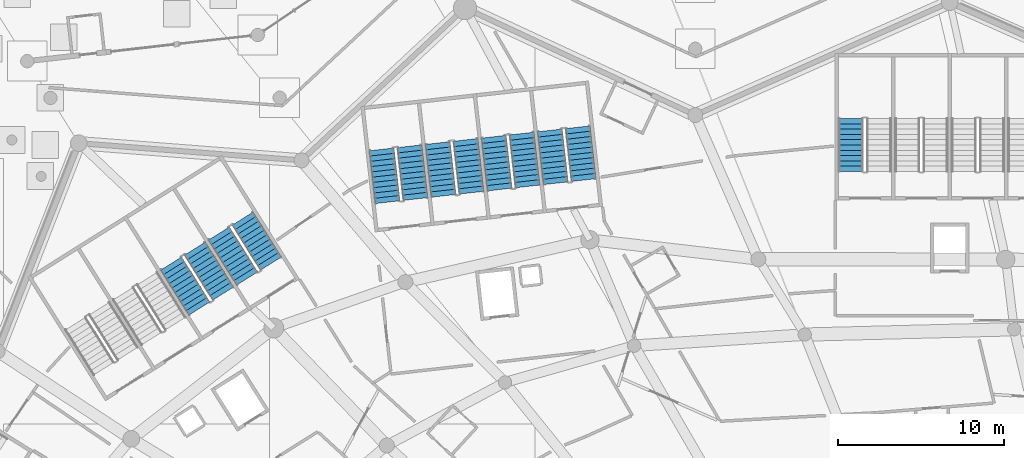
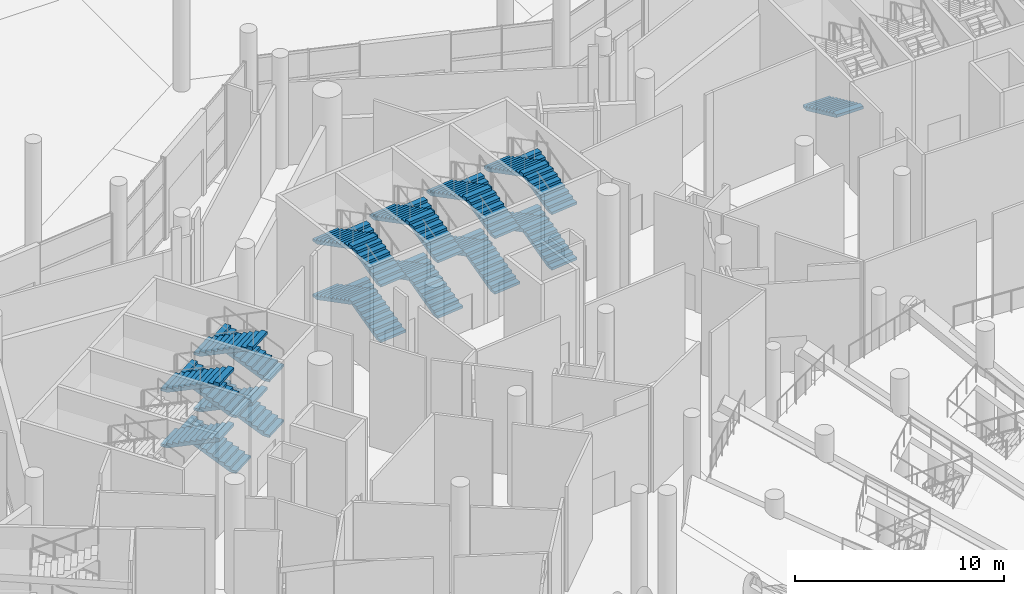
# One storey, part 175 of 255: 25 stair flights, 7 elements without a shape of their own.
"""IFC4 building model written with IfcOpenShell, lengths in metres."""

from ifc_helpers import new_model, si_unit, direction, frame, origin, place, context, subcontext, project, spatial, polyline, outline, extrude, material, type_object, element, aggregate, save


model = new_model("IFC4")

# Units and contexts
model_context = context("Model", 3, precision=1e-05, world=origin(), true_north=direction((0.0, 1.0)))
body_context = subcontext(model_context, "Body", "Model", "MODEL_VIEW")
ifc_project = project(units=[si_unit("LENGTHUNIT", "METRE"), si_unit("AREAUNIT", "SQUARE_METRE"), si_unit("VOLUMEUNIT", "CUBIC_METRE"), si_unit("PLANEANGLEUNIT", "RADIAN"), si_unit("MASSUNIT", "GRAM", prefix="KILO")], contexts=[model_context])

# Site, building, storey
site_placement = place(None, origin())
site = spatial("IfcSite", under=ifc_project, at=site_placement, CompositionType="ELEMENT")
building_placement = place(site_placement, origin())
building = spatial("IfcBuilding", under=site, at=building_placement, Name="Meseta Stadium", CompositionType="ELEMENT")
storey_placement = place(building_placement, origin())
storey = spatial("IfcBuildingStorey", under=building, at=storey_placement, Name="L00", CompositionType="ELEMENT", Elevation=0.0)

# Stair, stair flight
ifc_material_1 = material(Name="Concrete C40/50", Category="concrete")
stair_type = type_object("IfcStairType", Name="Exit stair 4 flights 148 mm risers", PredefinedType="HALF_TURN_STAIR", material=ifc_material_1)
stair_1_placement = place(storey_placement, origin())
stair_1 = element("IfcStair", 1, at=stair_1_placement, inside=storey, type_object=stair_type, Name="ST44 L00", PredefinedType="HALF_TURN_STAIR")
ifc_material_2 = material(Name="Concrete C40/50", Category="concrete")
stair_flight_type = type_object("IfcStairFlightType", Name="Exit stair flight 148 mm risers, 4 per storey", PredefinedType="STRAIGHT", material=ifc_material_2)
stair_flight_1_placement = place(storey_placement, frame((-28.949951171875, 98.39990234375, 1.625), z_axis=(0.0, 0.0, 1.0), x_axis=(0.0, -1.0, 0.0)))
stair_flight_1 = element("IfcStairFlight", 2, at=stair_flight_1_placement, type_object=stair_flight_type, Name="ST44 L00 flight 2", NumberOfRisers=11, NumberOfTreads=10, PredefinedType="STRAIGHT", RiserHeight=0.147727273, TreadLength=0.32, context=body_context, shape_type="SweptSolid", body=[
    extrude(outline(polyline([(0.0, 0.0), (0.0, 0.147705078125), (0.320068359375, 0.147705078125), (0.320068359375, 0.29541015625), (0.639892578125, 0.29541015625), (0.639892578125, 0.443115234375), (0.9599609375, 0.443115234375), (0.9599609375, 0.5908203125), (1.280029296875, 0.5908203125), (1.280029296875, 0.738525390625), (1.60009765625, 0.738525390625), (1.60009765625, 0.886474609375), (1.919921875, 0.886474609375), (1.919921875, 1.0341796875), (2.239990234375, 1.0341796875), (2.239990234375, 1.181884765625), (2.56005859375, 1.181884765625), (2.56005859375, 1.32958984375), (2.8798828125, 1.32958984375), (2.8798828125, 1.477294921875), (3.199951171875, 1.477294921875), (3.199951171875, 1.312255859375), (0.357666015625, 0.0), (0.0, 0.0)])), frame((0.0, 0.75, 0.0), z_axis=(0.0, -1.0, 0.0), x_axis=(1.0, 0.0, 0.0)), (0.0, 0.0, 1.0), 1.5),
])
aggregate(stair_1, [stair_flight_1])

# Stair, stair flights
stair_2_placement = place(storey_placement, origin())
stair_2 = element("IfcStair", 3, at=stair_2_placement, inside=storey, type_object=stair_type, Name="ST45 L00", PredefinedType="HALF_TURN_STAIR")
stair_flight_2_placement = place(storey_placement, frame((-45.04736328125, 94.687744140625, 0.0), z_axis=(0.0, 0.0, 1.0), x_axis=(-0.11196446867, 0.993712210731, 0.0)))
stair_flight_2 = element("IfcStairFlight", 4, at=stair_flight_2_placement, type_object=stair_flight_type, Name="ST45 L00 flight 1", NumberOfRisers=11, NumberOfTreads=10, PredefinedType="STRAIGHT", RiserHeight=0.147727273, TreadLength=0.32, context=body_context, shape_type="SweptSolid", body=[
    extrude(outline(polyline([(0.0, 0.0), (0.0, 0.147705078125), (0.320068359375, 0.147705078125), (0.320068359375, 0.29541015625), (0.639892578125, 0.29541015625), (0.639892578125, 0.443115234375), (0.9599609375, 0.443115234375), (0.9599609375, 0.5908203125), (1.280029296875, 0.5908203125), (1.280029296875, 0.738525390625), (1.60009765625, 0.738525390625), (1.60009765625, 0.886474609375), (1.919921875, 0.886474609375), (1.919921875, 1.0341796875), (2.239990234375, 1.0341796875), (2.239990234375, 1.181884765625), (2.56005859375, 1.181884765625), (2.56005859375, 1.32958984375), (2.8798828125, 1.32958984375), (2.8798828125, 1.477294921875), (3.199951171875, 1.477294921875), (3.199951171875, 1.312255859375), (0.357666015625, 0.0), (0.0, 0.0)])), frame((0.0, 0.75, 0.0), z_axis=(0.0, -1.0, 0.0), x_axis=(1.0, 0.0, 0.0)), (0.0, 0.0, 1.0), 1.5),
])
stair_flight_3_placement = place(storey_placement, frame((-47.094970703125, 97.67724609375, 1.625), z_axis=(0.0, 0.0, 1.0), x_axis=(0.11196446867, -0.993712210731, 0.0)))
stair_flight_3 = element("IfcStairFlight", 5, at=stair_flight_3_placement, type_object=stair_flight_type, Name="ST45 L00 flight 2", NumberOfRisers=11, NumberOfTreads=10, PredefinedType="STRAIGHT", RiserHeight=0.147727273, TreadLength=0.32, context=body_context, shape_type="SweptSolid", body=[
    extrude(outline(polyline([(0.0, 0.0), (0.0, 0.147705078125), (0.320068359375, 0.147705078125), (0.320068359375, 0.29541015625), (0.639892578125, 0.29541015625), (0.639892578125, 0.443115234375), (0.9599609375, 0.443115234375), (0.9599609375, 0.5908203125), (1.280029296875, 0.5908203125), (1.280029296875, 0.738525390625), (1.60009765625, 0.738525390625), (1.60009765625, 0.886474609375), (1.919921875, 0.886474609375), (1.919921875, 1.0341796875), (2.239990234375, 1.0341796875), (2.239990234375, 1.181884765625), (2.56005859375, 1.181884765625), (2.56005859375, 1.32958984375), (2.8798828125, 1.32958984375), (2.8798828125, 1.477294921875), (3.199951171875, 1.477294921875), (3.199951171875, 1.312255859375), (0.357666015625, 0.0), (0.0, 0.0)])), frame((0.0, 0.75, 0.0), z_axis=(0.0, -1.0, 0.0), x_axis=(1.0, 0.0, 0.0)), (0.0, 0.0, 1.0), 1.5),
])
stair_flight_4_placement = place(storey_placement, frame((-45.04736328125, 94.687744140625, 3.25), z_axis=(0.0, 0.0, 1.0), x_axis=(-0.11196446867, 0.993712210731, 0.0)))
stair_flight_4 = element("IfcStairFlight", 6, at=stair_flight_4_placement, type_object=stair_flight_type, Name="ST45 L00 flight 3", NumberOfRisers=11, NumberOfTreads=10, PredefinedType="STRAIGHT", RiserHeight=0.147727273, TreadLength=0.32, context=body_context, shape_type="SweptSolid", body=[
    extrude(outline(polyline([(0.0, 0.0), (0.0, 0.147705078125), (0.320068359375, 0.147705078125), (0.320068359375, 0.29541015625), (0.639892578125, 0.29541015625), (0.639892578125, 0.443115234375), (0.9599609375, 0.443115234375), (0.9599609375, 0.5908203125), (1.280029296875, 0.5908203125), (1.280029296875, 0.738525390625), (1.60009765625, 0.738525390625), (1.60009765625, 0.886474609375), (1.919921875, 0.886474609375), (1.919921875, 1.0341796875), (2.239990234375, 1.0341796875), (2.239990234375, 1.181884765625), (2.56005859375, 1.181884765625), (2.56005859375, 1.32958984375), (2.8798828125, 1.32958984375), (2.8798828125, 1.477294921875), (3.199951171875, 1.477294921875), (3.199951171875, 1.312255859375), (0.357666015625, 0.0), (0.0, 0.0)])), frame((0.0, 0.75, 0.0), z_axis=(0.0, -1.0, 0.0), x_axis=(1.0, 0.0, 0.0)), (0.0, 0.0, 1.0), 1.5),
])
stair_flight_5_placement = place(storey_placement, frame((-47.094970703125, 97.67724609375, 4.875), z_axis=(0.0, 0.0, 1.0), x_axis=(0.11196446867, -0.993712210731, 0.0)))
stair_flight_5 = element("IfcStairFlight", 7, at=stair_flight_5_placement, type_object=stair_flight_type, Name="ST45 L00 flight 4", NumberOfRisers=11, NumberOfTreads=10, PredefinedType="STRAIGHT", RiserHeight=0.147727273, TreadLength=0.32, context=body_context, shape_type="SweptSolid", body=[
    extrude(outline(polyline([(0.0, 0.0), (0.0, 0.147705078125), (0.320068359375, 0.147705078125), (0.320068359375, 0.29541015625), (0.639892578125, 0.29541015625), (0.639892578125, 0.443115234375), (0.9599609375, 0.443115234375), (0.9599609375, 0.5908203125), (1.280029296875, 0.5908203125), (1.280029296875, 0.738525390625), (1.60009765625, 0.738525390625), (1.60009765625, 0.886474609375), (1.919921875, 0.886474609375), (1.919921875, 1.0341796875), (2.239990234375, 1.0341796875), (2.239990234375, 1.181884765625), (2.56005859375, 1.181884765625), (2.56005859375, 1.32958984375), (2.8798828125, 1.32958984375), (2.8798828125, 1.477294921875), (3.199951171875, 1.477294921875), (3.199951171875, 1.312255859375), (0.357666015625, 0.0), (0.0, 0.0)])), frame((0.0, 0.75, 0.0), z_axis=(0.0, -1.0, 0.0), x_axis=(1.0, 0.0, 0.0)), (0.0, 0.0, 1.0), 1.5),
])
aggregate(stair_2, [stair_flight_2, stair_flight_3, stair_flight_4, stair_flight_5])

stair_3_placement = place(storey_placement, origin())
stair_3 = element("IfcStair", 8, at=stair_3_placement, inside=storey, type_object=stair_type, Name="ST46 L00", PredefinedType="HALF_TURN_STAIR")
stair_flight_6_placement = place(storey_placement, frame((-48.426025390625, 94.306884765625, 0.0), z_axis=(0.0, 0.0, 1.0), x_axis=(-0.11196446867, 0.993712210731, 0.0)))
stair_flight_6 = element("IfcStairFlight", 9, at=stair_flight_6_placement, type_object=stair_flight_type, Name="ST46 L00 flight 1", NumberOfRisers=11, NumberOfTreads=10, PredefinedType="STRAIGHT", RiserHeight=0.147727273, TreadLength=0.32, context=body_context, shape_type="SweptSolid", body=[
    extrude(outline(polyline([(0.0, 0.0), (0.0, 0.147705078125), (0.320068359375, 0.147705078125), (0.320068359375, 0.29541015625), (0.639892578125, 0.29541015625), (0.639892578125, 0.443115234375), (0.9599609375, 0.443115234375), (0.9599609375, 0.5908203125), (1.280029296875, 0.5908203125), (1.280029296875, 0.738525390625), (1.60009765625, 0.738525390625), (1.60009765625, 0.886474609375), (1.919921875, 0.886474609375), (1.919921875, 1.0341796875), (2.239990234375, 1.0341796875), (2.239990234375, 1.181884765625), (2.56005859375, 1.181884765625), (2.56005859375, 1.32958984375), (2.8798828125, 1.32958984375), (2.8798828125, 1.477294921875), (3.199951171875, 1.477294921875), (3.199951171875, 1.312255859375), (0.357666015625, 0.0), (0.0, 0.0)])), frame((0.0, 0.75, 0.0), z_axis=(0.0, -1.0, 0.0), x_axis=(1.0, 0.0, 0.0)), (0.0, 0.0, 1.0), 1.5),
])
stair_flight_7_placement = place(storey_placement, frame((-50.4736328125, 97.29638671875, 1.625), z_axis=(0.0, 0.0, 1.0), x_axis=(0.11196446867, -0.993712210731, 0.0)))
stair_flight_7 = element("IfcStairFlight", 10, at=stair_flight_7_placement, type_object=stair_flight_type, Name="ST46 L00 flight 2", NumberOfRisers=11, NumberOfTreads=10, PredefinedType="STRAIGHT", RiserHeight=0.147727273, TreadLength=0.32, context=body_context, shape_type="SweptSolid", body=[
    extrude(outline(polyline([(0.0, 0.0), (0.0, 0.147705078125), (0.320068359375, 0.147705078125), (0.320068359375, 0.29541015625), (0.639892578125, 0.29541015625), (0.639892578125, 0.443115234375), (0.9599609375, 0.443115234375), (0.9599609375, 0.5908203125), (1.280029296875, 0.5908203125), (1.280029296875, 0.738525390625), (1.60009765625, 0.738525390625), (1.60009765625, 0.886474609375), (1.919921875, 0.886474609375), (1.919921875, 1.0341796875), (2.239990234375, 1.0341796875), (2.239990234375, 1.181884765625), (2.56005859375, 1.181884765625), (2.56005859375, 1.32958984375), (2.8798828125, 1.32958984375), (2.8798828125, 1.477294921875), (3.199951171875, 1.477294921875), (3.199951171875, 1.312255859375), (0.357666015625, 0.0), (0.0, 0.0)])), frame((0.0, 0.75, 0.0), z_axis=(0.0, -1.0, 0.0), x_axis=(1.0, 0.0, 0.0)), (0.0, 0.0, 1.0), 1.5),
])
stair_flight_8_placement = place(storey_placement, frame((-48.426025390625, 94.306884765625, 3.25), z_axis=(0.0, 0.0, 1.0), x_axis=(-0.11196446867, 0.993712210731, 0.0)))
stair_flight_8 = element("IfcStairFlight", 11, at=stair_flight_8_placement, type_object=stair_flight_type, Name="ST46 L00 flight 3", NumberOfRisers=11, NumberOfTreads=10, PredefinedType="STRAIGHT", RiserHeight=0.147727273, TreadLength=0.32, context=body_context, shape_type="SweptSolid", body=[
    extrude(outline(polyline([(0.0, 0.0), (0.0, 0.147705078125), (0.320068359375, 0.147705078125), (0.320068359375, 0.29541015625), (0.639892578125, 0.29541015625), (0.639892578125, 0.443115234375), (0.9599609375, 0.443115234375), (0.9599609375, 0.5908203125), (1.280029296875, 0.5908203125), (1.280029296875, 0.738525390625), (1.60009765625, 0.738525390625), (1.60009765625, 0.886474609375), (1.919921875, 0.886474609375), (1.919921875, 1.0341796875), (2.239990234375, 1.0341796875), (2.239990234375, 1.181884765625), (2.56005859375, 1.181884765625), (2.56005859375, 1.32958984375), (2.8798828125, 1.32958984375), (2.8798828125, 1.477294921875), (3.199951171875, 1.477294921875), (3.199951171875, 1.312255859375), (0.357666015625, 0.0), (0.0, 0.0)])), frame((0.0, 0.75, 0.0), z_axis=(0.0, -1.0, 0.0), x_axis=(1.0, 0.0, 0.0)), (0.0, 0.0, 1.0), 1.5),
])
stair_flight_9_placement = place(storey_placement, frame((-50.4736328125, 97.29638671875, 4.875), z_axis=(0.0, 0.0, 1.0), x_axis=(0.11196446867, -0.993712210731, 0.0)))
stair_flight_9 = element("IfcStairFlight", 12, at=stair_flight_9_placement, type_object=stair_flight_type, Name="ST46 L00 flight 4", NumberOfRisers=11, NumberOfTreads=10, PredefinedType="STRAIGHT", RiserHeight=0.147727273, TreadLength=0.32, context=body_context, shape_type="SweptSolid", body=[
    extrude(outline(polyline([(0.0, 0.0), (0.0, 0.147705078125), (0.320068359375, 0.147705078125), (0.320068359375, 0.29541015625), (0.639892578125, 0.29541015625), (0.639892578125, 0.443115234375), (0.9599609375, 0.443115234375), (0.9599609375, 0.5908203125), (1.280029296875, 0.5908203125), (1.280029296875, 0.738525390625), (1.60009765625, 0.738525390625), (1.60009765625, 0.886474609375), (1.919921875, 0.886474609375), (1.919921875, 1.0341796875), (2.239990234375, 1.0341796875), (2.239990234375, 1.181884765625), (2.56005859375, 1.181884765625), (2.56005859375, 1.32958984375), (2.8798828125, 1.32958984375), (2.8798828125, 1.477294921875), (3.199951171875, 1.477294921875), (3.199951171875, 1.312255859375), (0.357666015625, 0.0), (0.0, 0.0)])), frame((0.0, 0.75, 0.0), z_axis=(0.0, -1.0, 0.0), x_axis=(1.0, 0.0, 0.0)), (0.0, 0.0, 1.0), 1.5),
])
aggregate(stair_3, [stair_flight_6, stair_flight_7, stair_flight_8, stair_flight_9])

stair_4_placement = place(storey_placement, origin())
stair_4 = element("IfcStair", 13, at=stair_4_placement, inside=storey, type_object=stair_type, Name="ST47 L00", PredefinedType="HALF_TURN_STAIR")
stair_flight_10_placement = place(storey_placement, frame((-51.8046875, 93.92626953125, 0.0), z_axis=(0.0, 0.0, 1.0), x_axis=(-0.11196446867, 0.993712210731, 0.0)))
stair_flight_10 = element("IfcStairFlight", 14, at=stair_flight_10_placement, type_object=stair_flight_type, Name="ST47 L00 flight 1", NumberOfRisers=11, NumberOfTreads=10, PredefinedType="STRAIGHT", RiserHeight=0.147727273, TreadLength=0.32, context=body_context, shape_type="SweptSolid", body=[
    extrude(outline(polyline([(0.0, 0.0), (0.0, 0.147705078125), (0.320068359375, 0.147705078125), (0.320068359375, 0.29541015625), (0.639892578125, 0.29541015625), (0.639892578125, 0.443115234375), (0.9599609375, 0.443115234375), (0.9599609375, 0.5908203125), (1.280029296875, 0.5908203125), (1.280029296875, 0.738525390625), (1.60009765625, 0.738525390625), (1.60009765625, 0.886474609375), (1.919921875, 0.886474609375), (1.919921875, 1.0341796875), (2.239990234375, 1.0341796875), (2.239990234375, 1.181884765625), (2.56005859375, 1.181884765625), (2.56005859375, 1.32958984375), (2.8798828125, 1.32958984375), (2.8798828125, 1.477294921875), (3.199951171875, 1.477294921875), (3.199951171875, 1.312255859375), (0.357666015625, 0.0), (0.0, 0.0)])), frame((0.0, 0.75, 0.0), z_axis=(0.0, -1.0, 0.0), x_axis=(1.0, 0.0, 0.0)), (0.0, 0.0, 1.0), 1.5),
])
stair_flight_11_placement = place(storey_placement, frame((-53.852294921875, 96.915771484375, 1.625), z_axis=(0.0, 0.0, 1.0), x_axis=(0.11196446867, -0.993712210731, 0.0)))
stair_flight_11 = element("IfcStairFlight", 15, at=stair_flight_11_placement, type_object=stair_flight_type, Name="ST47 L00 flight 2", NumberOfRisers=11, NumberOfTreads=10, PredefinedType="STRAIGHT", RiserHeight=0.147727273, TreadLength=0.32, context=body_context, shape_type="SweptSolid", body=[
    extrude(outline(polyline([(0.0, 0.0), (0.0, 0.147705078125), (0.320068359375, 0.147705078125), (0.320068359375, 0.29541015625), (0.639892578125, 0.29541015625), (0.639892578125, 0.443115234375), (0.9599609375, 0.443115234375), (0.9599609375, 0.5908203125), (1.280029296875, 0.5908203125), (1.280029296875, 0.738525390625), (1.60009765625, 0.738525390625), (1.60009765625, 0.886474609375), (1.919921875, 0.886474609375), (1.919921875, 1.0341796875), (2.239990234375, 1.0341796875), (2.239990234375, 1.181884765625), (2.56005859375, 1.181884765625), (2.56005859375, 1.32958984375), (2.8798828125, 1.32958984375), (2.8798828125, 1.477294921875), (3.199951171875, 1.477294921875), (3.199951171875, 1.312255859375), (0.357666015625, 0.0), (0.0, 0.0)])), frame((0.0, 0.75, 0.0), z_axis=(0.0, -1.0, 0.0), x_axis=(1.0, 0.0, 0.0)), (0.0, 0.0, 1.0), 1.5),
])
stair_flight_12_placement = place(storey_placement, frame((-51.8046875, 93.92626953125, 3.25), z_axis=(0.0, 0.0, 1.0), x_axis=(-0.11196446867, 0.993712210731, 0.0)))
stair_flight_12 = element("IfcStairFlight", 16, at=stair_flight_12_placement, type_object=stair_flight_type, Name="ST47 L00 flight 3", NumberOfRisers=11, NumberOfTreads=10, PredefinedType="STRAIGHT", RiserHeight=0.147727273, TreadLength=0.32, context=body_context, shape_type="SweptSolid", body=[
    extrude(outline(polyline([(0.0, 0.0), (0.0, 0.147705078125), (0.320068359375, 0.147705078125), (0.320068359375, 0.29541015625), (0.639892578125, 0.29541015625), (0.639892578125, 0.443115234375), (0.9599609375, 0.443115234375), (0.9599609375, 0.5908203125), (1.280029296875, 0.5908203125), (1.280029296875, 0.738525390625), (1.60009765625, 0.738525390625), (1.60009765625, 0.886474609375), (1.919921875, 0.886474609375), (1.919921875, 1.0341796875), (2.239990234375, 1.0341796875), (2.239990234375, 1.181884765625), (2.56005859375, 1.181884765625), (2.56005859375, 1.32958984375), (2.8798828125, 1.32958984375), (2.8798828125, 1.477294921875), (3.199951171875, 1.477294921875), (3.199951171875, 1.312255859375), (0.357666015625, 0.0), (0.0, 0.0)])), frame((0.0, 0.75, 0.0), z_axis=(0.0, -1.0, 0.0), x_axis=(1.0, 0.0, 0.0)), (0.0, 0.0, 1.0), 1.5),
])
stair_flight_13_placement = place(storey_placement, frame((-53.852294921875, 96.915771484375, 4.875), z_axis=(0.0, 0.0, 1.0), x_axis=(0.11196446867, -0.993712210731, 0.0)))
stair_flight_13 = element("IfcStairFlight", 17, at=stair_flight_13_placement, type_object=stair_flight_type, Name="ST47 L00 flight 4", NumberOfRisers=11, NumberOfTreads=10, PredefinedType="STRAIGHT", RiserHeight=0.147727273, TreadLength=0.32, context=body_context, shape_type="SweptSolid", body=[
    extrude(outline(polyline([(0.0, 0.0), (0.0, 0.147705078125), (0.320068359375, 0.147705078125), (0.320068359375, 0.29541015625), (0.639892578125, 0.29541015625), (0.639892578125, 0.443115234375), (0.9599609375, 0.443115234375), (0.9599609375, 0.5908203125), (1.280029296875, 0.5908203125), (1.280029296875, 0.738525390625), (1.60009765625, 0.738525390625), (1.60009765625, 0.886474609375), (1.919921875, 0.886474609375), (1.919921875, 1.0341796875), (2.239990234375, 1.0341796875), (2.239990234375, 1.181884765625), (2.56005859375, 1.181884765625), (2.56005859375, 1.32958984375), (2.8798828125, 1.32958984375), (2.8798828125, 1.477294921875), (3.199951171875, 1.477294921875), (3.199951171875, 1.312255859375), (0.357666015625, 0.0), (0.0, 0.0)])), frame((0.0, 0.75, 0.0), z_axis=(0.0, -1.0, 0.0), x_axis=(1.0, 0.0, 0.0)), (0.0, 0.0, 1.0), 1.5),
])
aggregate(stair_4, [stair_flight_10, stair_flight_11, stair_flight_12, stair_flight_13])

stair_5_placement = place(storey_placement, origin())
stair_5 = element("IfcStair", 18, at=stair_5_placement, inside=storey, type_object=stair_type, Name="ST48 L00", PredefinedType="HALF_TURN_STAIR")
stair_flight_14_placement = place(storey_placement, frame((-55.183349609375, 93.545654296875, 0.0), z_axis=(0.0, 0.0, 1.0), x_axis=(-0.11196446867, 0.993712210731, 0.0)))
stair_flight_14 = element("IfcStairFlight", 19, at=stair_flight_14_placement, type_object=stair_flight_type, Name="ST48 L00 flight 1", NumberOfRisers=11, NumberOfTreads=10, PredefinedType="STRAIGHT", RiserHeight=0.147727273, TreadLength=0.32, context=body_context, shape_type="SweptSolid", body=[
    extrude(outline(polyline([(0.0, 0.0), (0.0, 0.147705078125), (0.320068359375, 0.147705078125), (0.320068359375, 0.29541015625), (0.639892578125, 0.29541015625), (0.639892578125, 0.443115234375), (0.9599609375, 0.443115234375), (0.9599609375, 0.5908203125), (1.280029296875, 0.5908203125), (1.280029296875, 0.738525390625), (1.60009765625, 0.738525390625), (1.60009765625, 0.886474609375), (1.919921875, 0.886474609375), (1.919921875, 1.0341796875), (2.239990234375, 1.0341796875), (2.239990234375, 1.181884765625), (2.56005859375, 1.181884765625), (2.56005859375, 1.32958984375), (2.8798828125, 1.32958984375), (2.8798828125, 1.477294921875), (3.199951171875, 1.477294921875), (3.199951171875, 1.312255859375), (0.357666015625, 0.0), (0.0, 0.0)])), frame((0.0, 0.75, 0.0), z_axis=(0.0, -1.0, 0.0), x_axis=(1.0, 0.0, 0.0)), (0.0, 0.0, 1.0), 1.5),
])
stair_flight_15_placement = place(storey_placement, frame((-57.23095703125, 96.53515625, 1.625), z_axis=(0.0, 0.0, 1.0), x_axis=(0.11196446867, -0.993712210731, 0.0)))
stair_flight_15 = element("IfcStairFlight", 20, at=stair_flight_15_placement, type_object=stair_flight_type, Name="ST48 L00 flight 2", NumberOfRisers=11, NumberOfTreads=10, PredefinedType="STRAIGHT", RiserHeight=0.147727273, TreadLength=0.32, context=body_context, shape_type="SweptSolid", body=[
    extrude(outline(polyline([(0.0, 0.0), (0.0, 0.147705078125), (0.320068359375, 0.147705078125), (0.320068359375, 0.29541015625), (0.639892578125, 0.29541015625), (0.639892578125, 0.443115234375), (0.9599609375, 0.443115234375), (0.9599609375, 0.5908203125), (1.280029296875, 0.5908203125), (1.280029296875, 0.738525390625), (1.60009765625, 0.738525390625), (1.60009765625, 0.886474609375), (1.919921875, 0.886474609375), (1.919921875, 1.0341796875), (2.239990234375, 1.0341796875), (2.239990234375, 1.181884765625), (2.56005859375, 1.181884765625), (2.56005859375, 1.32958984375), (2.8798828125, 1.32958984375), (2.8798828125, 1.477294921875), (3.199951171875, 1.477294921875), (3.199951171875, 1.312255859375), (0.357666015625, 0.0), (0.0, 0.0)])), frame((0.0, 0.75, 0.0), z_axis=(0.0, -1.0, 0.0), x_axis=(1.0, 0.0, 0.0)), (0.0, 0.0, 1.0), 1.5),
])
stair_flight_16_placement = place(storey_placement, frame((-55.183349609375, 93.545654296875, 3.25), z_axis=(0.0, 0.0, 1.0), x_axis=(-0.11196446867, 0.993712210731, 0.0)))
stair_flight_16 = element("IfcStairFlight", 21, at=stair_flight_16_placement, type_object=stair_flight_type, Name="ST48 L00 flight 3", NumberOfRisers=11, NumberOfTreads=10, PredefinedType="STRAIGHT", RiserHeight=0.147727273, TreadLength=0.32, context=body_context, shape_type="SweptSolid", body=[
    extrude(outline(polyline([(0.0, 0.0), (0.0, 0.147705078125), (0.320068359375, 0.147705078125), (0.320068359375, 0.29541015625), (0.639892578125, 0.29541015625), (0.639892578125, 0.443115234375), (0.9599609375, 0.443115234375), (0.9599609375, 0.5908203125), (1.280029296875, 0.5908203125), (1.280029296875, 0.738525390625), (1.60009765625, 0.738525390625), (1.60009765625, 0.886474609375), (1.919921875, 0.886474609375), (1.919921875, 1.0341796875), (2.239990234375, 1.0341796875), (2.239990234375, 1.181884765625), (2.56005859375, 1.181884765625), (2.56005859375, 1.32958984375), (2.8798828125, 1.32958984375), (2.8798828125, 1.477294921875), (3.199951171875, 1.477294921875), (3.199951171875, 1.312255859375), (0.357666015625, 0.0), (0.0, 0.0)])), frame((0.0, 0.75, 0.0), z_axis=(0.0, -1.0, 0.0), x_axis=(1.0, 0.0, 0.0)), (0.0, 0.0, 1.0), 1.5),
])
stair_flight_17_placement = place(storey_placement, frame((-57.23095703125, 96.53515625, 4.875), z_axis=(0.0, 0.0, 1.0), x_axis=(0.11196446867, -0.993712210731, 0.0)))
stair_flight_17 = element("IfcStairFlight", 22, at=stair_flight_17_placement, type_object=stair_flight_type, Name="ST48 L00 flight 4", NumberOfRisers=11, NumberOfTreads=10, PredefinedType="STRAIGHT", RiserHeight=0.147727273, TreadLength=0.32, context=body_context, shape_type="SweptSolid", body=[
    extrude(outline(polyline([(0.0, 0.0), (0.0, 0.147705078125), (0.320068359375, 0.147705078125), (0.320068359375, 0.29541015625), (0.639892578125, 0.29541015625), (0.639892578125, 0.443115234375), (0.9599609375, 0.443115234375), (0.9599609375, 0.5908203125), (1.280029296875, 0.5908203125), (1.280029296875, 0.738525390625), (1.60009765625, 0.738525390625), (1.60009765625, 0.886474609375), (1.919921875, 0.886474609375), (1.919921875, 1.0341796875), (2.239990234375, 1.0341796875), (2.239990234375, 1.181884765625), (2.56005859375, 1.181884765625), (2.56005859375, 1.32958984375), (2.8798828125, 1.32958984375), (2.8798828125, 1.477294921875), (3.199951171875, 1.477294921875), (3.199951171875, 1.312255859375), (0.357666015625, 0.0), (0.0, 0.0)])), frame((0.0, 0.75, 0.0), z_axis=(0.0, -1.0, 0.0), x_axis=(1.0, 0.0, 0.0)), (0.0, 0.0, 1.0), 1.5),
])
aggregate(stair_5, [stair_flight_14, stair_flight_15, stair_flight_16, stair_flight_17])

stair_6_placement = place(storey_placement, origin())
stair_6 = element("IfcStair", 23, at=stair_6_placement, inside=storey, type_object=stair_type, Name="ST49 L00", PredefinedType="HALF_TURN_STAIR")
stair_flight_18_placement = place(storey_placement, frame((-63.892578125, 89.659423828125, 0.0), z_axis=(0.0, 0.0, 1.0), x_axis=(-0.532032074404, 0.846724200555, 0.0)))
stair_flight_18 = element("IfcStairFlight", 24, at=stair_flight_18_placement, type_object=stair_flight_type, Name="ST49 L00 flight 1", NumberOfRisers=11, NumberOfTreads=10, PredefinedType="STRAIGHT", RiserHeight=0.147727273, TreadLength=0.32, context=body_context, shape_type="SweptSolid", body=[
    extrude(outline(polyline([(0.0, 0.0), (0.0, 0.147705078125), (0.320068359375, 0.147705078125), (0.320068359375, 0.29541015625), (0.639892578125, 0.29541015625), (0.639892578125, 0.443115234375), (0.9599609375, 0.443115234375), (0.9599609375, 0.5908203125), (1.280029296875, 0.5908203125), (1.280029296875, 0.738525390625), (1.60009765625, 0.738525390625), (1.60009765625, 0.886474609375), (1.919921875, 0.886474609375), (1.919921875, 1.0341796875), (2.239990234375, 1.0341796875), (2.239990234375, 1.181884765625), (2.56005859375, 1.181884765625), (2.56005859375, 1.32958984375), (2.8798828125, 1.32958984375), (2.8798828125, 1.477294921875), (3.199951171875, 1.477294921875), (3.199951171875, 1.312255859375), (0.357666015625, 0.0), (0.0, 0.0)])), frame((0.0, 0.75, 0.0), z_axis=(0.0, -1.0, 0.0), x_axis=(1.0, 0.0, 0.0)), (0.0, 0.0, 1.0), 1.5),
])
stair_flight_19_placement = place(storey_placement, frame((-67.034423828125, 91.46435546875, 1.625), z_axis=(0.0, 0.0, 1.0), x_axis=(0.532032074404, -0.846724200555, 0.0)))
stair_flight_19 = element("IfcStairFlight", 25, at=stair_flight_19_placement, type_object=stair_flight_type, Name="ST49 L00 flight 2", NumberOfRisers=11, NumberOfTreads=10, PredefinedType="STRAIGHT", RiserHeight=0.147727273, TreadLength=0.32, context=body_context, shape_type="SweptSolid", body=[
    extrude(outline(polyline([(0.0, 0.0), (0.0, 0.147705078125), (0.320068359375, 0.147705078125), (0.320068359375, 0.29541015625), (0.639892578125, 0.29541015625), (0.639892578125, 0.443115234375), (0.9599609375, 0.443115234375), (0.9599609375, 0.5908203125), (1.280029296875, 0.5908203125), (1.280029296875, 0.738525390625), (1.60009765625, 0.738525390625), (1.60009765625, 0.886474609375), (1.919921875, 0.886474609375), (1.919921875, 1.0341796875), (2.239990234375, 1.0341796875), (2.239990234375, 1.181884765625), (2.56005859375, 1.181884765625), (2.56005859375, 1.32958984375), (2.8798828125, 1.32958984375), (2.8798828125, 1.477294921875), (3.199951171875, 1.477294921875), (3.199951171875, 1.312255859375), (0.357666015625, 0.0), (0.0, 0.0)])), frame((0.0, 0.75, 0.0), z_axis=(0.0, -1.0, 0.0), x_axis=(1.0, 0.0, 0.0)), (0.0, 0.0, 1.0), 1.5),
])
stair_flight_20_placement = place(storey_placement, frame((-63.892578125, 89.659423828125, 3.25), z_axis=(0.0, 0.0, 1.0), x_axis=(-0.532032074404, 0.846724200555, 0.0)))
stair_flight_20 = element("IfcStairFlight", 26, at=stair_flight_20_placement, type_object=stair_flight_type, Name="ST49 L00 flight 3", NumberOfRisers=11, NumberOfTreads=10, PredefinedType="STRAIGHT", RiserHeight=0.147727273, TreadLength=0.32, context=body_context, shape_type="SweptSolid", body=[
    extrude(outline(polyline([(0.0, 0.0), (0.0, 0.147705078125), (0.320068359375, 0.147705078125), (0.320068359375, 0.29541015625), (0.639892578125, 0.29541015625), (0.639892578125, 0.443115234375), (0.9599609375, 0.443115234375), (0.9599609375, 0.5908203125), (1.280029296875, 0.5908203125), (1.280029296875, 0.738525390625), (1.60009765625, 0.738525390625), (1.60009765625, 0.886474609375), (1.919921875, 0.886474609375), (1.919921875, 1.0341796875), (2.239990234375, 1.0341796875), (2.239990234375, 1.181884765625), (2.56005859375, 1.181884765625), (2.56005859375, 1.32958984375), (2.8798828125, 1.32958984375), (2.8798828125, 1.477294921875), (3.199951171875, 1.477294921875), (3.199951171875, 1.312255859375), (0.357666015625, 0.0), (0.0, 0.0)])), frame((0.0, 0.75, 0.0), z_axis=(0.0, -1.0, 0.0), x_axis=(1.0, 0.0, 0.0)), (0.0, 0.0, 1.0), 1.5),
])
stair_flight_21_placement = place(storey_placement, frame((-67.034423828125, 91.46435546875, 4.875), z_axis=(0.0, 0.0, 1.0), x_axis=(0.532032074404, -0.846724200555, 0.0)))
stair_flight_21 = element("IfcStairFlight", 27, at=stair_flight_21_placement, type_object=stair_flight_type, Name="ST49 L00 flight 4", NumberOfRisers=11, NumberOfTreads=10, PredefinedType="STRAIGHT", RiserHeight=0.147727273, TreadLength=0.32, context=body_context, shape_type="SweptSolid", body=[
    extrude(outline(polyline([(0.0, 0.0), (0.0, 0.147705078125), (0.320068359375, 0.147705078125), (0.320068359375, 0.29541015625), (0.639892578125, 0.29541015625), (0.639892578125, 0.443115234375), (0.9599609375, 0.443115234375), (0.9599609375, 0.5908203125), (1.280029296875, 0.5908203125), (1.280029296875, 0.738525390625), (1.60009765625, 0.738525390625), (1.60009765625, 0.886474609375), (1.919921875, 0.886474609375), (1.919921875, 1.0341796875), (2.239990234375, 1.0341796875), (2.239990234375, 1.181884765625), (2.56005859375, 1.181884765625), (2.56005859375, 1.32958984375), (2.8798828125, 1.32958984375), (2.8798828125, 1.477294921875), (3.199951171875, 1.477294921875), (3.199951171875, 1.312255859375), (0.357666015625, 0.0), (0.0, 0.0)])), frame((0.0, 0.75, 0.0), z_axis=(0.0, -1.0, 0.0), x_axis=(1.0, 0.0, 0.0)), (0.0, 0.0, 1.0), 1.5),
])
aggregate(stair_6, [stair_flight_18, stair_flight_19, stair_flight_20, stair_flight_21])

stair_7_placement = place(storey_placement, origin())
stair_7 = element("IfcStair", 28, at=stair_7_placement, inside=storey, type_object=stair_type, Name="ST50 L00", PredefinedType="HALF_TURN_STAIR")
stair_flight_22_placement = place(storey_placement, frame((-66.771484375, 87.8505859375, 0.0), z_axis=(0.0, 0.0, 1.0), x_axis=(-0.532032074404, 0.846724200555, 0.0)))
stair_flight_22 = element("IfcStairFlight", 29, at=stair_flight_22_placement, type_object=stair_flight_type, Name="ST50 L00 flight 1", NumberOfRisers=11, NumberOfTreads=10, PredefinedType="STRAIGHT", RiserHeight=0.147727273, TreadLength=0.32, context=body_context, shape_type="SweptSolid", body=[
    extrude(outline(polyline([(0.0, 0.0), (0.0, 0.147705078125), (0.320068359375, 0.147705078125), (0.320068359375, 0.29541015625), (0.639892578125, 0.29541015625), (0.639892578125, 0.443115234375), (0.9599609375, 0.443115234375), (0.9599609375, 0.5908203125), (1.280029296875, 0.5908203125), (1.280029296875, 0.738525390625), (1.60009765625, 0.738525390625), (1.60009765625, 0.886474609375), (1.919921875, 0.886474609375), (1.919921875, 1.0341796875), (2.239990234375, 1.0341796875), (2.239990234375, 1.181884765625), (2.56005859375, 1.181884765625), (2.56005859375, 1.32958984375), (2.8798828125, 1.32958984375), (2.8798828125, 1.477294921875), (3.199951171875, 1.477294921875), (3.199951171875, 1.312255859375), (0.357666015625, 0.0), (0.0, 0.0)])), frame((0.0, 0.75, 0.0), z_axis=(0.0, -1.0, 0.0), x_axis=(1.0, 0.0, 0.0)), (0.0, 0.0, 1.0), 1.5),
])
stair_flight_23_placement = place(storey_placement, frame((-69.913330078125, 89.655517578125, 1.625), z_axis=(0.0, 0.0, 1.0), x_axis=(0.532032074404, -0.846724200555, 0.0)))
stair_flight_23 = element("IfcStairFlight", 30, at=stair_flight_23_placement, type_object=stair_flight_type, Name="ST50 L00 flight 2", NumberOfRisers=11, NumberOfTreads=10, PredefinedType="STRAIGHT", RiserHeight=0.147727273, TreadLength=0.32, context=body_context, shape_type="SweptSolid", body=[
    extrude(outline(polyline([(0.0, 0.0), (0.0, 0.147705078125), (0.320068359375, 0.147705078125), (0.320068359375, 0.29541015625), (0.639892578125, 0.29541015625), (0.639892578125, 0.443115234375), (0.9599609375, 0.443115234375), (0.9599609375, 0.5908203125), (1.280029296875, 0.5908203125), (1.280029296875, 0.738525390625), (1.60009765625, 0.738525390625), (1.60009765625, 0.886474609375), (1.919921875, 0.886474609375), (1.919921875, 1.0341796875), (2.239990234375, 1.0341796875), (2.239990234375, 1.181884765625), (2.56005859375, 1.181884765625), (2.56005859375, 1.32958984375), (2.8798828125, 1.32958984375), (2.8798828125, 1.477294921875), (3.199951171875, 1.477294921875), (3.199951171875, 1.312255859375), (0.357666015625, 0.0), (0.0, 0.0)])), frame((0.0, 0.75, 0.0), z_axis=(0.0, -1.0, 0.0), x_axis=(1.0, 0.0, 0.0)), (0.0, 0.0, 1.0), 1.5),
])
stair_flight_24_placement = place(storey_placement, frame((-66.771484375, 87.8505859375, 3.25), z_axis=(0.0, 0.0, 1.0), x_axis=(-0.532032074404, 0.846724200555, 0.0)))
stair_flight_24 = element("IfcStairFlight", 31, at=stair_flight_24_placement, type_object=stair_flight_type, Name="ST50 L00 flight 3", NumberOfRisers=11, NumberOfTreads=10, PredefinedType="STRAIGHT", RiserHeight=0.147727273, TreadLength=0.32, context=body_context, shape_type="SweptSolid", body=[
    extrude(outline(polyline([(0.0, 0.0), (0.0, 0.147705078125), (0.320068359375, 0.147705078125), (0.320068359375, 0.29541015625), (0.639892578125, 0.29541015625), (0.639892578125, 0.443115234375), (0.9599609375, 0.443115234375), (0.9599609375, 0.5908203125), (1.280029296875, 0.5908203125), (1.280029296875, 0.738525390625), (1.60009765625, 0.738525390625), (1.60009765625, 0.886474609375), (1.919921875, 0.886474609375), (1.919921875, 1.0341796875), (2.239990234375, 1.0341796875), (2.239990234375, 1.181884765625), (2.56005859375, 1.181884765625), (2.56005859375, 1.32958984375), (2.8798828125, 1.32958984375), (2.8798828125, 1.477294921875), (3.199951171875, 1.477294921875), (3.199951171875, 1.312255859375), (0.357666015625, 0.0), (0.0, 0.0)])), frame((0.0, 0.75, 0.0), z_axis=(0.0, -1.0, 0.0), x_axis=(1.0, 0.0, 0.0)), (0.0, 0.0, 1.0), 1.5),
])
stair_flight_25_placement = place(storey_placement, frame((-69.913330078125, 89.655517578125, 4.875), z_axis=(0.0, 0.0, 1.0), x_axis=(0.532032074404, -0.846724200555, 0.0)))
stair_flight_25 = element("IfcStairFlight", 32, at=stair_flight_25_placement, type_object=stair_flight_type, Name="ST50 L00 flight 4", NumberOfRisers=11, NumberOfTreads=10, PredefinedType="STRAIGHT", RiserHeight=0.147727273, TreadLength=0.32, context=body_context, shape_type="SweptSolid", body=[
    extrude(outline(polyline([(0.0, 0.0), (0.0, 0.147705078125), (0.320068359375, 0.147705078125), (0.320068359375, 0.29541015625), (0.639892578125, 0.29541015625), (0.639892578125, 0.443115234375), (0.9599609375, 0.443115234375), (0.9599609375, 0.5908203125), (1.280029296875, 0.5908203125), (1.280029296875, 0.738525390625), (1.60009765625, 0.738525390625), (1.60009765625, 0.886474609375), (1.919921875, 0.886474609375), (1.919921875, 1.0341796875), (2.239990234375, 1.0341796875), (2.239990234375, 1.181884765625), (2.56005859375, 1.181884765625), (2.56005859375, 1.32958984375), (2.8798828125, 1.32958984375), (2.8798828125, 1.477294921875), (3.199951171875, 1.477294921875), (3.199951171875, 1.312255859375), (0.357666015625, 0.0), (0.0, 0.0)])), frame((0.0, 0.75, 0.0), z_axis=(0.0, -1.0, 0.0), x_axis=(1.0, 0.0, 0.0)), (0.0, 0.0, 1.0), 1.5),
])
aggregate(stair_7, [stair_flight_22, stair_flight_23, stair_flight_24, stair_flight_25])

save(model, "model.ifc")
